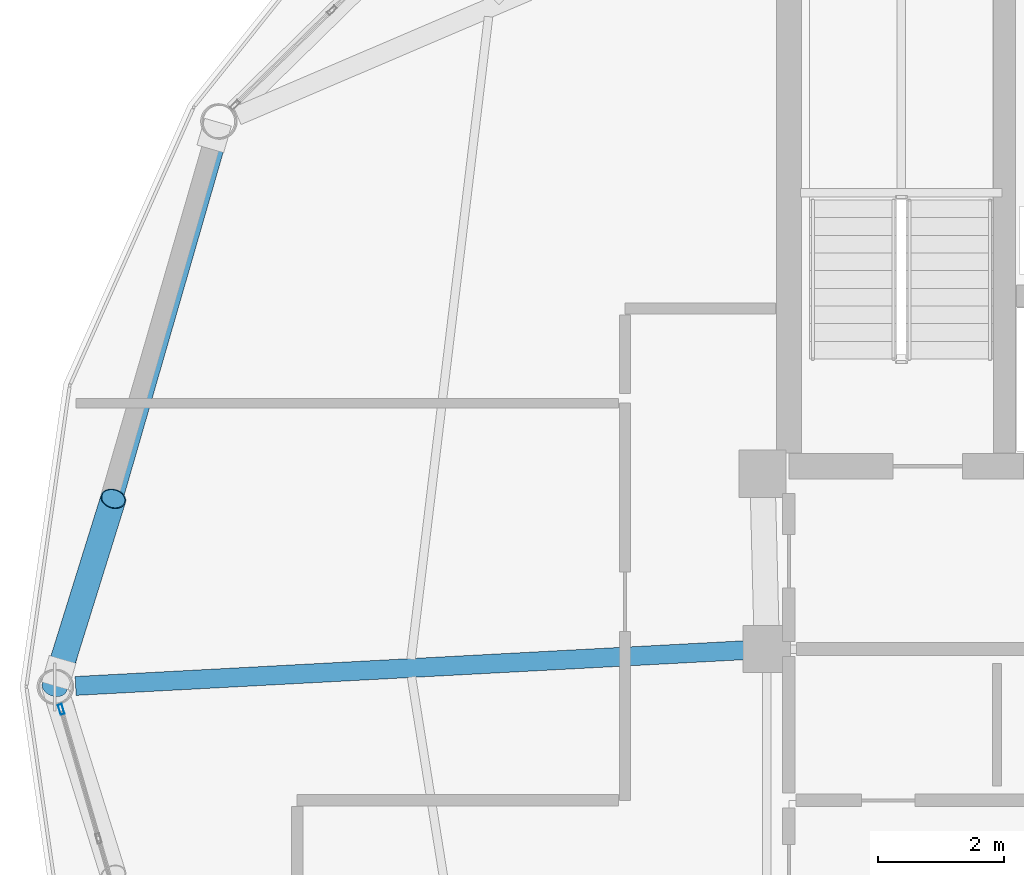
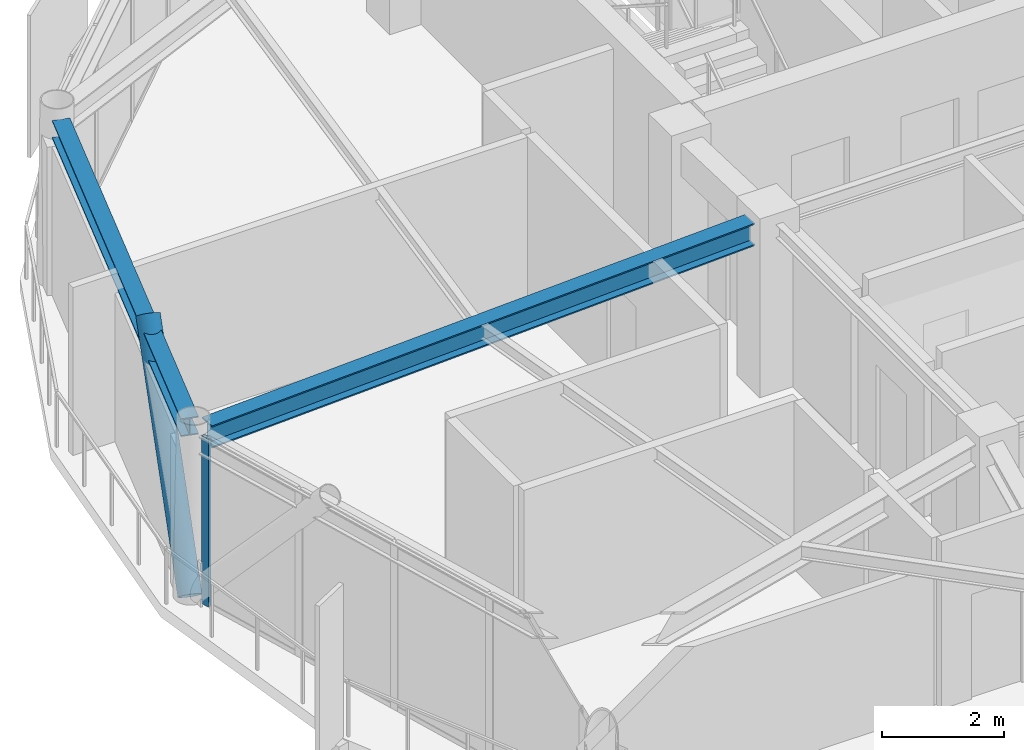
# One storey, part 11 of 27: 2 beams, 2 members, 1 element without a shape of its own.
"""IFC4 building model written with IfcOpenShell, lengths in metres."""

from ifc_helpers import new_model, si_unit, direction, frame, origin, origin_2d, place, context, subcontext, project, spatial, hollow_rectangle, hollow_circle, i_section, extrude, material, layer, layer_set, material_profile, profile_set, type_object, element, aggregate, save


model = new_model("IFC4")

# Units and contexts
model_context = context("Model", 3, precision=1e-05, world=origin(), true_north=direction((0.0, 1.0)))
body_context = subcontext(model_context, "Body", "Model", "MODEL_VIEW")
ifc_project = project(units=[si_unit("LENGTHUNIT", "METRE"), si_unit("AREAUNIT", "SQUARE_METRE"), si_unit("VOLUMEUNIT", "CUBIC_METRE"), si_unit("PLANEANGLEUNIT", "RADIAN"), si_unit("MASSUNIT", "GRAM", prefix="KILO")], contexts=[model_context])

# Site, building, storey
site_placement = place(None, origin())
site = spatial("IfcSite", under=ifc_project, at=site_placement, CompositionType="ELEMENT")
building_placement = place(site_placement, origin())
building = spatial("IfcBuilding", under=site, at=building_placement, Name="Varnakorn Sky Granary", CompositionType="ELEMENT")
storey_placement = place(building_placement, frame((0.0, 0.0, 249.0)))
storey = spatial("IfcBuildingStorey", under=building, at=storey_placement, Name="L63", CompositionType="ELEMENT", Elevation=249.0)

# Beams
ifc_material_1 = material(Name="Steel S355JR", Category="steel")
ifc_material_profile_1 = material_profile(ifc_material_1, i_section(OverallWidth=0.300048828125, OverallDepth=0.449951171875, WebThickness=0.013916015625, FlangeThickness=0.02587890625, at=origin_2d()), Name="HE 450 B")
ifc_profile_set_1 = profile_set([ifc_material_profile_1], Name="Steel S355JR")
beam_type_1 = type_object("IfcBeamType", Name="BM-RAD-Z5", PredefinedType="BEAM", material=ifc_profile_set_1)
beam_1_placement = place(storey_placement, frame((-2.70458984375, 0.5810546875, 3.135009765625), z_axis=(-0.998575226057, -0.053362139255, 0.0), x_axis=(0.053362139255, -0.998575226057, 0.0)))
element("IfcBeam", 1, at=beam_1_placement, inside=storey, type_object=beam_type_1, Name="Radial Floor Girder RG07 L63", PredefinedType="BEAM", context=body_context, shape_type="SweptSolid", body=[
    extrude(i_section(OverallWidth=0.300048828125, OverallDepth=0.449951171875, WebThickness=0.013916015625, FlangeThickness=0.02587890625, at=origin_2d()), origin(), (0.0, 0.0, 1.0), 10.62353515625),
])
ifc_material_profile_2 = material_profile(ifc_material_1, i_section(OverallWidth=0.300048828125, OverallDepth=0.360107421875, WebThickness=0.012451171875, FlangeThickness=0.0224609375, at=origin_2d()), Name="HE 360 B")
ifc_profile_set_2 = profile_set([ifc_material_profile_2], Name="Steel S355JR")
beam_type_2 = type_object("IfcBeamType", Name="BM-SPD-Z5", PredefinedType="SPANDREL", material=ifc_profile_set_2)
beam_2_placement = place(storey_placement, frame((-11.064697265625, 8.697998046875, 3.179931640625), z_axis=(-0.277500910444, -0.960725374237, 0.0), x_axis=(0.960725374237, -0.277500910444, 0.0)))
element("IfcBeam", 2, at=beam_2_placement, inside=storey, type_object=beam_type_2, Name="Perimeter Spandrel Ring Beam RB06 L63", PredefinedType="SPANDREL", context=body_context, shape_type="SweptSolid", body=[
    extrude(i_section(OverallWidth=0.300048828125, OverallDepth=0.360107421875, WebThickness=0.012451171875, FlangeThickness=0.0224609375, at=origin_2d()), origin(), (0.0, 0.0, 1.0), 8.7890625),
])

# Curtain wall, member
ifc_material_2 = material(Name="Anodised Bronze Aluminium Alloy 6063-T6", Category="aluminium")
ifc_layer = layer(ifc_material_2, 0.159912109375, Name="Anodised Bronze Aluminium Alloy 6063-T6")
ifc_layer_set = layer_set([ifc_layer], Name="Anodised Bronze Aluminium Alloy 6063-T6")
curtain_wall_type = type_object("IfcCurtainWallType", Name="CW-OFF-1", PredefinedType="USERDEFINED", material=ifc_layer_set)
curtain_wall_placement = place(storey_placement, origin())
curtain_wall = element("IfcCurtainWall", 3, at=curtain_wall_placement, inside=storey, type_object=curtain_wall_type, Name="Unitised Curtain Wall CW6 CW-L63-B07", ObjectType="CURTAIN WALL", PredefinedType="USERDEFINED")
ifc_material_profile_3 = material_profile(ifc_material_2, hollow_rectangle(XDim=0.06494140625, YDim=0.159912109375, WallThickness=0.00341796875, at=origin_2d()), Name="ALU MULL 65x160")
ifc_profile_set_3 = profile_set([ifc_material_profile_3], Name="Anodised Bronze Aluminium Alloy 6063-T6")
member_type_1 = type_object("IfcMemberType", Name="CW-OFF-1-MULL", PredefinedType="MULLION", material=ifc_profile_set_3)
member_1_placement = place(storey_placement, frame((-13.54150390625, -0.357421875, 0.0), z_axis=(0.0, 0.0, 1.0), x_axis=(-0.960610363601, -0.277898775352, 0.0)))
member_1 = element("IfcMember", 4, at=member_1_placement, type_object=member_type_1, Name="CW6 mullion 5", PredefinedType="MULLION", context=body_context, shape_type="SweptSolid", body=[
    extrude(hollow_rectangle(XDim=0.06494140625, YDim=0.159912109375, WallThickness=0.00341796875, at=origin_2d()), origin(), (0.0, 0.0, 1.0), 3.360107421875),
])
aggregate(curtain_wall, [member_1])

# Member
ifc_material_3 = material(Name="Steel S460M", Category="steel")
ifc_material_profile_4 = material_profile(ifc_material_3, hollow_circle(Radius=0.203125, WallThickness=0.01611328125, at=origin_2d()), Name="CHS 406.4x16")
ifc_profile_set_4 = profile_set([ifc_material_profile_4], Name="Steel S460M")
member_type_2 = type_object("IfcMemberType", Name="MB-DIAG-T4", PredefinedType="BRACE", material=ifc_profile_set_4)
member_2_placement = place(storey_placement, frame((-13.64501953125, 0.0, 0.0), z_axis=(0.198495078552, 0.636914373868, 0.74494280596), x_axis=(-0.954710420924, 0.297536572844, 0.0)))
element("IfcMember", 5, at=member_2_placement, inside=storey, type_object=member_type_2, Name="Perimeter CHS Diagrid Brace DG06 L63", PredefinedType="BRACE", context=body_context, shape_type="SweptSolid", body=[
    extrude(hollow_circle(Radius=0.203125, WallThickness=0.01611328125, at=origin_2d()), origin(), (0.0, 0.0, 1.0), 4.684814453125),
])

save(model, "model.ifc")
